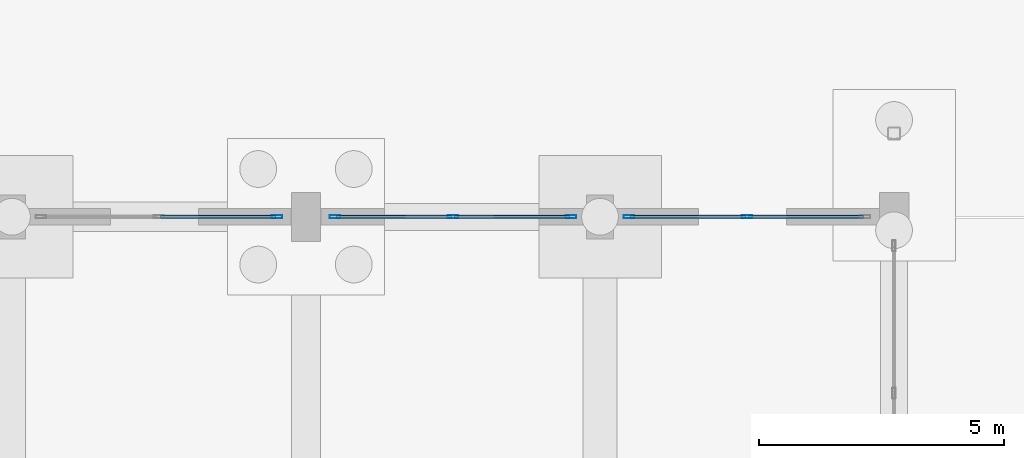
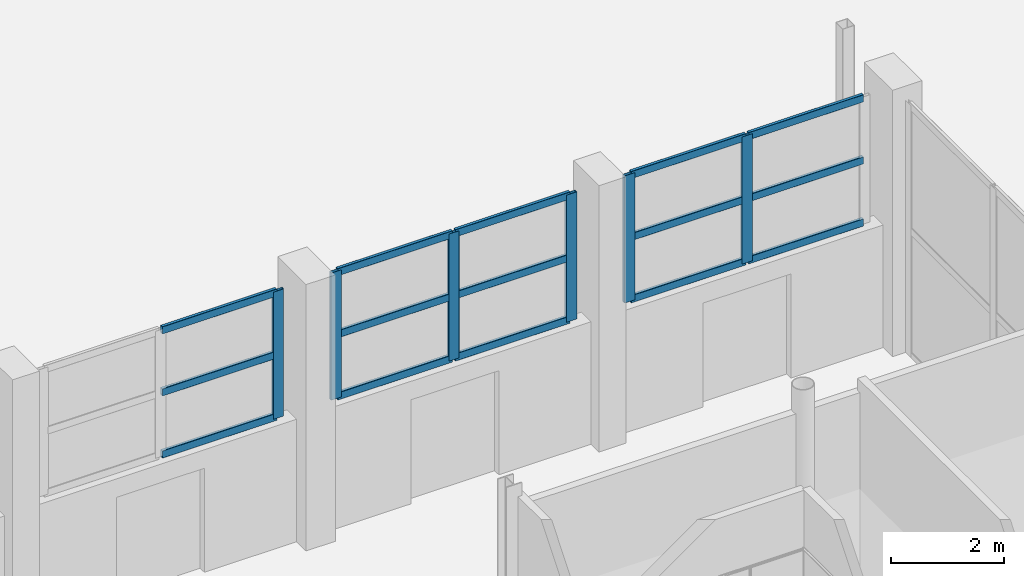
# One storey, part 56 of 103: 21 members, 3 elements without a shape of their own.
"""IFC4 building model written with IfcOpenShell, lengths in metres."""

from ifc_helpers import new_model, si_unit, direction, frame, origin, origin_2d, place, context, subcontext, project, spatial, hollow_rectangle, extrude, material, layer, layer_set, material_profile, profile_set, type_object, element, aggregate, save


model = new_model("IFC4")

# Units and contexts
model_context = context("Model", 3, precision=1e-05, world=origin(), true_north=direction((0.0, 1.0)))
body_context = subcontext(model_context, "Body", "Model", "MODEL_VIEW")
ifc_project = project(units=[si_unit("LENGTHUNIT", "METRE"), si_unit("AREAUNIT", "SQUARE_METRE"), si_unit("VOLUMEUNIT", "CUBIC_METRE"), si_unit("PLANEANGLEUNIT", "RADIAN"), si_unit("MASSUNIT", "GRAM", prefix="KILO")], contexts=[model_context])

# Site, building, storey
site_placement = place(None, origin())
site = spatial("IfcSite", under=ifc_project, at=site_placement, CompositionType="ELEMENT")
building_placement = place(site_placement, origin())
building = spatial("IfcBuilding", under=site, at=building_placement, Name="Dunvalen Ferry Terminal", CompositionType="ELEMENT")
storey_placement = place(building_placement, origin())
storey = spatial("IfcBuildingStorey", under=building, at=storey_placement, Name="L00", CompositionType="ELEMENT", Elevation=0.0)

# Curtain wall, member
ifc_material_1 = material(Name="Anodised marine aluminium and solar-control glazing", Category="aluminium")
ifc_layer = layer(ifc_material_1, 0.219970703125, Name="Anodised marine aluminium and solar-control glazing")
ifc_layer_set = layer_set([ifc_layer], Name="Anodised marine aluminium and solar-control glazing")
curtain_wall_type = type_object("IfcCurtainWallType", Name="ENV-CW-SYS-01", PredefinedType="NOTDEFINED", material=ifc_layer_set)
curtain_wall_1_placement = place(storey_placement, origin())
curtain_wall_1 = element("IfcCurtainWall", 1, at=curtain_wall_1_placement, inside=storey, type_object=curtain_wall_type, Name="L00 Curtain Wall CW-V1N-L00-12", PredefinedType="NOTDEFINED")
ifc_material_2 = material(Name="Anodised marine aluminium EN AW-6063 T6", Category="aluminium")
ifc_material_profile_1 = material_profile(ifc_material_2, hollow_rectangle(XDim=0.06494140625, YDim=0.219970703125, WallThickness=0.00390625, InnerFilletRadius=0.00390625, OuterFilletRadius=0.008056640625, at=origin_2d()), Name="Anodised marine aluminium EN AW-6063 T6")
ifc_profile_set_1 = profile_set([ifc_material_profile_1], Name="Anodised marine aluminium EN AW-6063 T6")
member_type_1 = type_object("IfcMemberType", Name="ENV-CW-MUL-1", PredefinedType="MULLION", material=ifc_profile_set_1)
member_1_placement = place(storey_placement, frame((83.407470703125, 86.39990234375, 2.699951171875), z_axis=(0.0, 0.0, 1.0), x_axis=(0.0, 1.0, 0.0)))
member_1 = element("IfcMember", 2, at=member_1_placement, type_object=member_type_1, Name="CW-01 mullion 3", PredefinedType="MULLION", context=body_context, shape_type="SweptSolid", body=[
    extrude(hollow_rectangle(XDim=0.06494140625, YDim=0.219970703125, WallThickness=0.00390625, InnerFilletRadius=0.00390625, OuterFilletRadius=0.008056640625, at=origin_2d()), origin(), (0.0, 0.0, 1.0), 2.75),
])

# Curtain wall, members
curtain_wall_2_placement = place(storey_placement, origin())
curtain_wall_2 = element("IfcCurtainWall", 3, at=curtain_wall_2_placement, inside=storey, type_object=curtain_wall_type, Name="L00 Curtain Wall CW-V1N-L00-13", PredefinedType="NOTDEFINED")
member_2_placement = place(storey_placement, frame((84.592529296875, 86.39990234375, 2.699951171875), z_axis=(0.0, 0.0, 1.0), x_axis=(0.0, 1.0, 0.0)))
member_2 = element("IfcMember", 4, at=member_2_placement, type_object=member_type_1, Name="CW-01 mullion 1", PredefinedType="MULLION", context=body_context, shape_type="SweptSolid", body=[
    extrude(hollow_rectangle(XDim=0.06494140625, YDim=0.219970703125, WallThickness=0.00390625, InnerFilletRadius=0.00390625, OuterFilletRadius=0.008056640625, at=origin_2d()), origin(), (0.0, 0.0, 1.0), 2.75),
])
member_3_placement = place(storey_placement, frame((87.0, 86.39990234375, 2.699951171875), z_axis=(0.0, 0.0, 1.0), x_axis=(0.0, 1.0, 0.0)))
member_3 = element("IfcMember", 5, at=member_3_placement, type_object=member_type_1, Name="CW-01 mullion 2", PredefinedType="MULLION", context=body_context, shape_type="SweptSolid", body=[
    extrude(hollow_rectangle(XDim=0.06494140625, YDim=0.219970703125, WallThickness=0.00390625, InnerFilletRadius=0.00390625, OuterFilletRadius=0.008056640625, at=origin_2d()), origin(), (0.0, 0.0, 1.0), 2.75),
])
member_4_placement = place(storey_placement, frame((89.407470703125, 86.39990234375, 2.699951171875), z_axis=(0.0, 0.0, 1.0), x_axis=(0.0, 1.0, 0.0)))
member_4 = element("IfcMember", 6, at=member_4_placement, type_object=member_type_1, Name="CW-01 mullion 3", PredefinedType="MULLION", context=body_context, shape_type="SweptSolid", body=[
    extrude(hollow_rectangle(XDim=0.06494140625, YDim=0.219970703125, WallThickness=0.00390625, InnerFilletRadius=0.00390625, OuterFilletRadius=0.008056640625, at=origin_2d()), origin(), (0.0, 0.0, 1.0), 2.75),
])

curtain_wall_3_placement = place(storey_placement, origin())
curtain_wall_3 = element("IfcCurtainWall", 7, at=curtain_wall_3_placement, inside=storey, type_object=curtain_wall_type, Name="L00 Curtain Wall CW-V1N-L00-14", PredefinedType="NOTDEFINED")
member_5_placement = place(storey_placement, frame((90.592529296875, 86.39990234375, 2.699951171875), z_axis=(0.0, 0.0, 1.0), x_axis=(0.0, 1.0, 0.0)))
member_5 = element("IfcMember", 8, at=member_5_placement, type_object=member_type_1, Name="CW-01 mullion 1", PredefinedType="MULLION", context=body_context, shape_type="SweptSolid", body=[
    extrude(hollow_rectangle(XDim=0.06494140625, YDim=0.219970703125, WallThickness=0.00390625, InnerFilletRadius=0.00390625, OuterFilletRadius=0.008056640625, at=origin_2d()), origin(), (0.0, 0.0, 1.0), 2.75),
])
member_6_placement = place(storey_placement, frame((93.0, 86.39990234375, 2.699951171875), z_axis=(0.0, 0.0, 1.0), x_axis=(0.0, 1.0, 0.0)))
member_6 = element("IfcMember", 9, at=member_6_placement, type_object=member_type_1, Name="CW-01 mullion 2", PredefinedType="MULLION", context=body_context, shape_type="SweptSolid", body=[
    extrude(hollow_rectangle(XDim=0.06494140625, YDim=0.219970703125, WallThickness=0.00390625, InnerFilletRadius=0.00390625, OuterFilletRadius=0.008056640625, at=origin_2d()), origin(), (0.0, 0.0, 1.0), 2.75),
])

# Member
ifc_material_profile_2 = material_profile(ifc_material_2, hollow_rectangle(XDim=0.06494140625, YDim=0.159912109375, WallThickness=0.00341796875, InnerFilletRadius=0.00341796875, OuterFilletRadius=0.007080078125, at=origin_2d()), Name="Anodised marine aluminium EN AW-6063 T6")
ifc_profile_set_2 = profile_set([ifc_material_profile_2], Name="Anodised marine aluminium EN AW-6063 T6")
member_type_2 = type_object("IfcMemberType", Name="ENV-CW-TRN-1", PredefinedType="USERDEFINED", material=ifc_profile_set_2)
member_7_placement = place(storey_placement, frame((81.032470703125, 86.39990234375, 2.732421875), z_axis=(1.0, 0.0, 0.0), x_axis=(0.0, 1.0, 0.0)))
member_7 = element("IfcMember", 10, at=member_7_placement, type_object=member_type_2, Name="CW-01 transom 2.1", ObjectType="TRANSOM", PredefinedType="USERDEFINED", context=body_context, shape_type="SweptSolid", body=[
    extrude(hollow_rectangle(XDim=0.06494140625, YDim=0.159912109375, WallThickness=0.00341796875, InnerFilletRadius=0.00341796875, OuterFilletRadius=0.007080078125, at=origin_2d()), origin(), (0.0, 0.0, 1.0), 2.342529296875),
])

member_8_placement = place(storey_placement, frame((81.032470703125, 86.39990234375, 4.074951171875), z_axis=(1.0, 0.0, 0.0), x_axis=(0.0, 1.0, 0.0)))
member_8 = element("IfcMember", 11, at=member_8_placement, type_object=member_type_2, Name="CW-01 transom 2.2", ObjectType="TRANSOM", PredefinedType="USERDEFINED", context=body_context, shape_type="SweptSolid", body=[
    extrude(hollow_rectangle(XDim=0.06494140625, YDim=0.159912109375, WallThickness=0.00341796875, InnerFilletRadius=0.00341796875, OuterFilletRadius=0.007080078125, at=origin_2d()), origin(), (0.0, 0.0, 1.0), 2.342529296875),
])

member_9_placement = place(storey_placement, frame((81.032470703125, 86.39990234375, 5.41748046875), z_axis=(1.0, 0.0, 0.0), x_axis=(0.0, 1.0, 0.0)))
member_9 = element("IfcMember", 12, at=member_9_placement, type_object=member_type_2, Name="CW-01 transom 2.3", ObjectType="TRANSOM", PredefinedType="USERDEFINED", context=body_context, shape_type="SweptSolid", body=[
    extrude(hollow_rectangle(XDim=0.06494140625, YDim=0.159912109375, WallThickness=0.00341796875, InnerFilletRadius=0.00341796875, OuterFilletRadius=0.007080078125, at=origin_2d()), origin(), (0.0, 0.0, 1.0), 2.342529296875),
])

aggregate(curtain_wall_1, [member_1, member_7, member_8, member_9])

member_10_placement = place(storey_placement, frame((84.625, 86.39990234375, 2.732421875), z_axis=(1.0, 0.0, 0.0), x_axis=(0.0, 1.0, 0.0)))
member_10 = element("IfcMember", 13, at=member_10_placement, type_object=member_type_2, Name="CW-01 transom 1.1", ObjectType="TRANSOM", PredefinedType="USERDEFINED", context=body_context, shape_type="SweptSolid", body=[
    extrude(hollow_rectangle(XDim=0.06494140625, YDim=0.159912109375, WallThickness=0.00341796875, InnerFilletRadius=0.00341796875, OuterFilletRadius=0.007080078125, at=origin_2d()), origin(), (0.0, 0.0, 1.0), 2.342529296875),
])

member_11_placement = place(storey_placement, frame((84.625, 86.39990234375, 4.074951171875), z_axis=(1.0, 0.0, 0.0), x_axis=(0.0, 1.0, 0.0)))
member_11 = element("IfcMember", 14, at=member_11_placement, type_object=member_type_2, Name="CW-01 transom 1.2", ObjectType="TRANSOM", PredefinedType="USERDEFINED", context=body_context, shape_type="SweptSolid", body=[
    extrude(hollow_rectangle(XDim=0.06494140625, YDim=0.159912109375, WallThickness=0.00341796875, InnerFilletRadius=0.00341796875, OuterFilletRadius=0.007080078125, at=origin_2d()), origin(), (0.0, 0.0, 1.0), 2.342529296875),
])

member_12_placement = place(storey_placement, frame((84.625, 86.39990234375, 5.41748046875), z_axis=(1.0, 0.0, 0.0), x_axis=(0.0, 1.0, 0.0)))
member_12 = element("IfcMember", 15, at=member_12_placement, type_object=member_type_2, Name="CW-01 transom 1.3", ObjectType="TRANSOM", PredefinedType="USERDEFINED", context=body_context, shape_type="SweptSolid", body=[
    extrude(hollow_rectangle(XDim=0.06494140625, YDim=0.159912109375, WallThickness=0.00341796875, InnerFilletRadius=0.00341796875, OuterFilletRadius=0.007080078125, at=origin_2d()), origin(), (0.0, 0.0, 1.0), 2.342529296875),
])

member_13_placement = place(storey_placement, frame((87.032470703125, 86.39990234375, 2.732421875), z_axis=(1.0, 0.0, 0.0), x_axis=(0.0, 1.0, 0.0)))
member_13 = element("IfcMember", 16, at=member_13_placement, type_object=member_type_2, Name="CW-01 transom 2.1", ObjectType="TRANSOM", PredefinedType="USERDEFINED", context=body_context, shape_type="SweptSolid", body=[
    extrude(hollow_rectangle(XDim=0.06494140625, YDim=0.159912109375, WallThickness=0.00341796875, InnerFilletRadius=0.00341796875, OuterFilletRadius=0.007080078125, at=origin_2d()), origin(), (0.0, 0.0, 1.0), 2.342529296875),
])

member_14_placement = place(storey_placement, frame((87.032470703125, 86.39990234375, 4.074951171875), z_axis=(1.0, 0.0, 0.0), x_axis=(0.0, 1.0, 0.0)))
member_14 = element("IfcMember", 17, at=member_14_placement, type_object=member_type_2, Name="CW-01 transom 2.2", ObjectType="TRANSOM", PredefinedType="USERDEFINED", context=body_context, shape_type="SweptSolid", body=[
    extrude(hollow_rectangle(XDim=0.06494140625, YDim=0.159912109375, WallThickness=0.00341796875, InnerFilletRadius=0.00341796875, OuterFilletRadius=0.007080078125, at=origin_2d()), origin(), (0.0, 0.0, 1.0), 2.342529296875),
])

member_15_placement = place(storey_placement, frame((87.032470703125, 86.39990234375, 5.41748046875), z_axis=(1.0, 0.0, 0.0), x_axis=(0.0, 1.0, 0.0)))
member_15 = element("IfcMember", 18, at=member_15_placement, type_object=member_type_2, Name="CW-01 transom 2.3", ObjectType="TRANSOM", PredefinedType="USERDEFINED", context=body_context, shape_type="SweptSolid", body=[
    extrude(hollow_rectangle(XDim=0.06494140625, YDim=0.159912109375, WallThickness=0.00341796875, InnerFilletRadius=0.00341796875, OuterFilletRadius=0.007080078125, at=origin_2d()), origin(), (0.0, 0.0, 1.0), 2.342529296875),
])

aggregate(curtain_wall_2, [member_2, member_3, member_4, member_10, member_11, member_12, member_13, member_14, member_15])

member_16_placement = place(storey_placement, frame((90.625, 86.39990234375, 2.732421875), z_axis=(1.0, 0.0, 0.0), x_axis=(0.0, 1.0, 0.0)))
member_16 = element("IfcMember", 19, at=member_16_placement, type_object=member_type_2, Name="CW-01 transom 1.1", ObjectType="TRANSOM", PredefinedType="USERDEFINED", context=body_context, shape_type="SweptSolid", body=[
    extrude(hollow_rectangle(XDim=0.06494140625, YDim=0.159912109375, WallThickness=0.00341796875, InnerFilletRadius=0.00341796875, OuterFilletRadius=0.007080078125, at=origin_2d()), origin(), (0.0, 0.0, 1.0), 2.342529296875),
])

member_17_placement = place(storey_placement, frame((90.625, 86.39990234375, 4.074951171875), z_axis=(1.0, 0.0, 0.0), x_axis=(0.0, 1.0, 0.0)))
member_17 = element("IfcMember", 20, at=member_17_placement, type_object=member_type_2, Name="CW-01 transom 1.2", ObjectType="TRANSOM", PredefinedType="USERDEFINED", context=body_context, shape_type="SweptSolid", body=[
    extrude(hollow_rectangle(XDim=0.06494140625, YDim=0.159912109375, WallThickness=0.00341796875, InnerFilletRadius=0.00341796875, OuterFilletRadius=0.007080078125, at=origin_2d()), origin(), (0.0, 0.0, 1.0), 2.342529296875),
])

member_18_placement = place(storey_placement, frame((90.625, 86.39990234375, 5.41748046875), z_axis=(1.0, 0.0, 0.0), x_axis=(0.0, 1.0, 0.0)))
member_18 = element("IfcMember", 21, at=member_18_placement, type_object=member_type_2, Name="CW-01 transom 1.3", ObjectType="TRANSOM", PredefinedType="USERDEFINED", context=body_context, shape_type="SweptSolid", body=[
    extrude(hollow_rectangle(XDim=0.06494140625, YDim=0.159912109375, WallThickness=0.00341796875, InnerFilletRadius=0.00341796875, OuterFilletRadius=0.007080078125, at=origin_2d()), origin(), (0.0, 0.0, 1.0), 2.342529296875),
])

member_19_placement = place(storey_placement, frame((93.032470703125, 86.39990234375, 2.732421875), z_axis=(1.0, 0.0, 0.0), x_axis=(0.0, 1.0, 0.0)))
member_19 = element("IfcMember", 22, at=member_19_placement, type_object=member_type_2, Name="CW-01 transom 2.1", ObjectType="TRANSOM", PredefinedType="USERDEFINED", context=body_context, shape_type="SweptSolid", body=[
    extrude(hollow_rectangle(XDim=0.06494140625, YDim=0.159912109375, WallThickness=0.00341796875, InnerFilletRadius=0.00341796875, OuterFilletRadius=0.007080078125, at=origin_2d()), origin(), (0.0, 0.0, 1.0), 2.342529296875),
])

member_20_placement = place(storey_placement, frame((93.032470703125, 86.39990234375, 4.074951171875), z_axis=(1.0, 0.0, 0.0), x_axis=(0.0, 1.0, 0.0)))
member_20 = element("IfcMember", 23, at=member_20_placement, type_object=member_type_2, Name="CW-01 transom 2.2", ObjectType="TRANSOM", PredefinedType="USERDEFINED", context=body_context, shape_type="SweptSolid", body=[
    extrude(hollow_rectangle(XDim=0.06494140625, YDim=0.159912109375, WallThickness=0.00341796875, InnerFilletRadius=0.00341796875, OuterFilletRadius=0.007080078125, at=origin_2d()), origin(), (0.0, 0.0, 1.0), 2.342529296875),
])

member_21_placement = place(storey_placement, frame((93.032470703125, 86.39990234375, 5.41748046875), z_axis=(1.0, 0.0, 0.0), x_axis=(0.0, 1.0, 0.0)))
member_21 = element("IfcMember", 24, at=member_21_placement, type_object=member_type_2, Name="CW-01 transom 2.3", ObjectType="TRANSOM", PredefinedType="USERDEFINED", context=body_context, shape_type="SweptSolid", body=[
    extrude(hollow_rectangle(XDim=0.06494140625, YDim=0.159912109375, WallThickness=0.00341796875, InnerFilletRadius=0.00341796875, OuterFilletRadius=0.007080078125, at=origin_2d()), origin(), (0.0, 0.0, 1.0), 2.342529296875),
])

aggregate(curtain_wall_3, [member_5, member_6, member_16, member_17, member_18, member_19, member_20, member_21])

save(model, "model.ifc")
